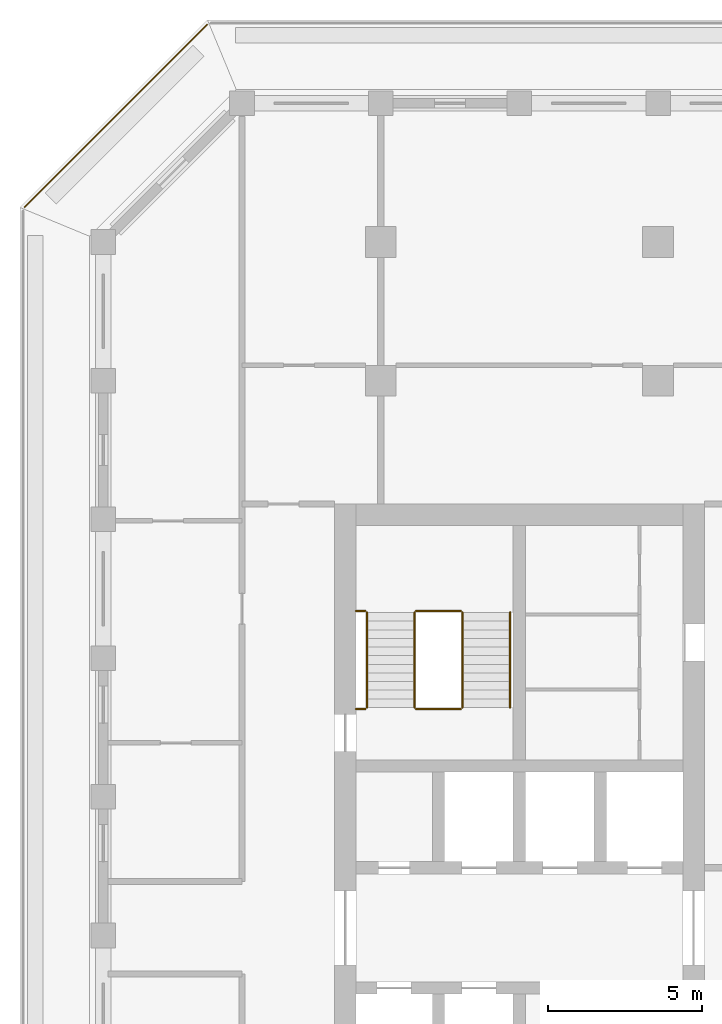
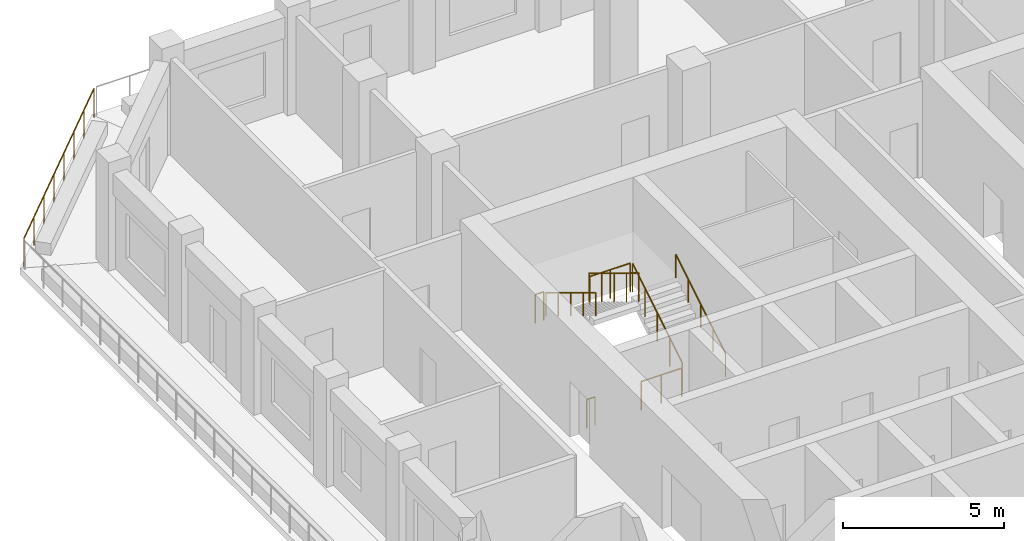
# One storey, part 14 of 17: 9 railings.
"""IFC4 building model written with IfcOpenShell, lengths in metres."""

from ifc_helpers import new_model, si_unit, direction, frame, origin, origin_2d, place, context, subcontext, project, spatial, circle, extrude, material, type_object, element, save


model = new_model("IFC4")

# Units and contexts
model_context = context("Model", 3, precision=1e-05, world=origin(), true_north=direction((0.0, 1.0)))
body_context = subcontext(model_context, "Body", "Model", "MODEL_VIEW")
ifc_project = project(units=[si_unit("LENGTHUNIT", "METRE"), si_unit("AREAUNIT", "SQUARE_METRE"), si_unit("VOLUMEUNIT", "CUBIC_METRE"), si_unit("PLANEANGLEUNIT", "RADIAN"), si_unit("MASSUNIT", "GRAM", prefix="KILO")], contexts=[model_context])

# Site, building, storey
site_placement = place(None, origin())
site = spatial("IfcSite", under=ifc_project, at=site_placement, CompositionType="ELEMENT")
building_placement = place(site_placement, origin())
building = spatial("IfcBuilding", under=site, at=building_placement, Name="Corbel Stack Research Tower", CompositionType="ELEMENT")
storey_placement = place(building_placement, frame((0.0, 0.0, 243.89990234375)))
storey = spatial("IfcBuildingStorey", under=building, at=storey_placement, Name="L55", CompositionType="ELEMENT", Elevation=243.89990234375)

# Railings
ifc_material_1 = material(Name="Steel S355", Category="steel")
railing_type_1 = type_object("IfcRailingType", Name="Stair guard 1100", PredefinedType="GUARDRAIL", material=ifc_material_1)
railing_1_placement = place(storey_placement, frame((-6.35009765625, 11.89990234375, 0.1708984375)))
element("IfcRailing", 1, at=railing_1_placement, inside=storey, type_object=railing_type_1, Name="L55 ST-W2 stair guard 1", PredefinedType="GUARDRAIL", context=body_context, shape_type="SweptSolid", body=[
    extrude(circle(Radius=0.02392578125, at=origin_2d()), frame((0.0, 0.0, 1.076171875), z_axis=(0.0, 0.853666305674, 0.52082035152), x_axis=(-1.0, 0.0, 0.0)), (0.0, 0.0, 1.0), 3.608154296875),
    extrude(circle(Radius=0.02099609375, at=origin_2d()), origin(), (0.0, 0.0, 1.0), 1.052001953125),
    extrude(circle(Radius=0.02099609375, at=origin_2d()), frame((0.0, 0.77001953125, 0.4697265625)), (0.0, 0.0, 1.0), 1.052001953125),
    extrude(circle(Radius=0.02099609375, at=origin_2d()), frame((0.0, 1.5400390625, 0.939453125)), (0.0, 0.0, 1.0), 1.052001953125),
    extrude(circle(Radius=0.02099609375, at=origin_2d()), frame((0.0, 2.31005859375, 1.409423828125)), (0.0, 0.0, 1.0), 1.052001953125),
    extrude(circle(Radius=0.02099609375, at=origin_2d()), frame((0.0, 3.080078125, 1.879150390625)), (0.0, 0.0, 1.0), 1.052001953125),
])
railing_2_placement = place(storey_placement, frame((-6.39990234375, 15.030029296875, 2.050048828125)))
element("IfcRailing", 2, at=railing_2_placement, inside=storey, type_object=railing_type_1, Name="L55 ST-W2 stair guard 2", PredefinedType="GUARDRAIL", context=body_context, shape_type="SweptSolid", body=[
    extrude(circle(Radius=0.02392578125, at=origin_2d()), frame((0.0, 0.0, 1.076171875), z_axis=(-1.0, 0.0, 0.0), x_axis=(0.0, -1.0, 0.0)), (0.0, 0.0, 1.0), 1.4501953125),
    extrude(circle(Radius=0.02099609375, at=origin_2d()), origin(), (0.0, 0.0, 1.0), 1.052001953125),
    extrude(circle(Radius=0.02099609375, at=origin_2d()), frame((-0.72509765625, 0.0, 0.0)), (0.0, 0.0, 1.0), 1.052001953125),
    extrude(circle(Radius=0.02099609375, at=origin_2d()), frame((-1.4501953125, 0.0, 0.0)), (0.0, 0.0, 1.0), 1.052001953125),
])
railing_3_placement = place(storey_placement, frame((-9.5, 15.030029296875, 2.050048828125)))
element("IfcRailing", 3, at=railing_3_placement, inside=storey, type_object=railing_type_1, Name="L55 ST-W2 stair guard 3", PredefinedType="GUARDRAIL", context=body_context, shape_type="SweptSolid", body=[
    extrude(circle(Radius=0.02392578125, at=origin_2d()), frame((0.0, 0.0, 1.076171875), z_axis=(-1.0, 0.0, 0.0), x_axis=(0.0, -1.0, 0.0)), (0.0, 0.0, 1.0), 0.300048828125),
    extrude(circle(Radius=0.02099609375, at=origin_2d()), origin(), (0.0, 0.0, 1.0), 1.052001953125),
    extrude(circle(Radius=0.02099609375, at=origin_2d()), frame((-0.300048828125, 0.0, 0.0)), (0.0, 0.0, 1.0), 1.052001953125),
])
railing_4_placement = place(storey_placement, frame((-7.89990234375, 14.97998046875, 2.220947265625)))
element("IfcRailing", 4, at=railing_4_placement, inside=storey, type_object=railing_type_1, Name="L55 ST-W2 stair guard 4", PredefinedType="GUARDRAIL", context=body_context, shape_type="SweptSolid", body=[
    extrude(circle(Radius=0.02392578125, at=origin_2d()), frame((0.0, 0.0, 1.076171875), z_axis=(0.0, -0.853666305674, 0.52082035152), x_axis=(1.0, 0.0, 0.0)), (0.0, 0.0, 1.0), 3.608154296875),
    extrude(circle(Radius=0.02099609375, at=origin_2d()), origin(), (0.0, 0.0, 1.0), 1.052001953125),
    extrude(circle(Radius=0.02099609375, at=origin_2d()), frame((0.0, -0.77001953125, 0.4697265625)), (0.0, 0.0, 1.0), 1.052001953125),
    extrude(circle(Radius=0.02099609375, at=origin_2d()), frame((0.0, -1.5400390625, 0.939453125)), (0.0, 0.0, 1.0), 1.052001953125),
    extrude(circle(Radius=0.02099609375, at=origin_2d()), frame((0.0, -2.31005859375, 1.409423828125)), (0.0, 0.0, 1.0), 1.052001953125),
    extrude(circle(Radius=0.02099609375, at=origin_2d()), frame((0.0, -3.080078125, 1.879150390625)), (0.0, 0.0, 1.0), 1.052001953125),
])
railing_5_placement = place(storey_placement, frame((-6.39990234375, 11.85009765625, 0.0)))
element("IfcRailing", 5, at=railing_5_placement, inside=storey, type_object=railing_type_1, Name="L55 ST-W2 stair guard 5", PredefinedType="GUARDRAIL", context=body_context, shape_type="SweptSolid", body=[
    extrude(circle(Radius=0.02392578125, at=origin_2d()), frame((0.0, 0.0, 1.076171875), z_axis=(-1.0, 0.0, 0.0), x_axis=(0.0, -1.0, 0.0)), (0.0, 0.0, 1.0), 1.4501953125),
    extrude(circle(Radius=0.02099609375, at=origin_2d()), origin(), (0.0, 0.0, 1.0), 1.052001953125),
    extrude(circle(Radius=0.02099609375, at=origin_2d()), frame((-0.72509765625, 0.0, 0.0)), (0.0, 0.0, 1.0), 1.052001953125),
    extrude(circle(Radius=0.02099609375, at=origin_2d()), frame((-1.4501953125, 0.0, 0.0)), (0.0, 0.0, 1.0), 1.052001953125),
])
railing_6_placement = place(storey_placement, frame((-9.5, 11.85009765625, 0.0)))
element("IfcRailing", 6, at=railing_6_placement, inside=storey, type_object=railing_type_1, Name="L55 ST-W2 stair guard 6", PredefinedType="GUARDRAIL", context=body_context, shape_type="SweptSolid", body=[
    extrude(circle(Radius=0.02392578125, at=origin_2d()), frame((0.0, 0.0, 1.076171875), z_axis=(-1.0, 0.0, 0.0), x_axis=(0.0, -1.0, 0.0)), (0.0, 0.0, 1.0), 0.300048828125),
    extrude(circle(Radius=0.02099609375, at=origin_2d()), origin(), (0.0, 0.0, 1.0), 1.052001953125),
    extrude(circle(Radius=0.02099609375, at=origin_2d()), frame((-0.300048828125, 0.0, 0.0)), (0.0, 0.0, 1.0), 1.052001953125),
])
ifc_material_2 = material(Name="Steel S355", Category="steel")
railing_type_2 = type_object("IfcRailingType", Name="Stair handrail 900", PredefinedType="HANDRAIL", material=ifc_material_2)
railing_7_placement = place(storey_placement, frame((-4.800048828125, 11.89990234375, 0.1708984375)))
element("IfcRailing", 7, at=railing_7_placement, inside=storey, type_object=railing_type_2, Name="L55 ST-W2 stair handrail 1", PredefinedType="HANDRAIL", context=body_context, shape_type="SweptSolid", body=[
    extrude(circle(Radius=0.02392578125, at=origin_2d()), frame((0.0, 0.0, 0.8759765625), z_axis=(0.0, 0.853666305674, 0.52082035152), x_axis=(-1.0, 0.0, 0.0)), (0.0, 0.0, 1.0), 3.608154296875),
    extrude(circle(Radius=0.02099609375, at=origin_2d()), origin(), (0.0, 0.0, 1.0), 0.851806640625),
    extrude(circle(Radius=0.02099609375, at=origin_2d()), frame((0.0, 0.77001953125, 0.4697265625)), (0.0, 0.0, 1.0), 0.851806640625),
    extrude(circle(Radius=0.02099609375, at=origin_2d()), frame((0.0, 1.5400390625, 0.939453125)), (0.0, 0.0, 1.0), 0.851806640625),
    extrude(circle(Radius=0.02099609375, at=origin_2d()), frame((0.0, 2.31005859375, 1.409423828125)), (0.0, 0.0, 1.0), 0.851806640625),
    extrude(circle(Radius=0.02099609375, at=origin_2d()), frame((0.0, 3.080078125, 1.879150390625)), (0.0, 0.0, 1.0), 0.851806640625),
])
railing_8_placement = place(storey_placement, frame((-9.449951171875, 14.97998046875, 2.220947265625)))
element("IfcRailing", 8, at=railing_8_placement, inside=storey, type_object=railing_type_2, Name="L55 ST-W2 stair handrail 2", PredefinedType="HANDRAIL", context=body_context, shape_type="SweptSolid", body=[
    extrude(circle(Radius=0.02392578125, at=origin_2d()), frame((0.0, 0.0, 0.8759765625), z_axis=(0.0, -0.853666305674, 0.52082035152), x_axis=(1.0, 0.0, 0.0)), (0.0, 0.0, 1.0), 3.608154296875),
    extrude(circle(Radius=0.02099609375, at=origin_2d()), origin(), (0.0, 0.0, 1.0), 0.851806640625),
    extrude(circle(Radius=0.02099609375, at=origin_2d()), frame((0.0, -0.77001953125, 0.4697265625)), (0.0, 0.0, 1.0), 0.851806640625),
    extrude(circle(Radius=0.02099609375, at=origin_2d()), frame((0.0, -1.5400390625, 0.939453125)), (0.0, 0.0, 1.0), 0.851806640625),
    extrude(circle(Radius=0.02099609375, at=origin_2d()), frame((0.0, -2.31005859375, 1.409423828125)), (0.0, 0.0, 1.0), 0.851806640625),
    extrude(circle(Radius=0.02099609375, at=origin_2d()), frame((0.0, -3.080078125, 1.879150390625)), (0.0, 0.0, 1.0), 0.851806640625),
])
ifc_material_3 = material(Name="Powder-coated steel guard", Category="steel")
railing_type_3 = type_object("IfcRailingType", Name="Steel and glass guard 1100", PredefinedType="GUARDRAIL", material=ifc_material_3)
railing_9_placement = place(storey_placement, frame((-14.627685546875, 34.04931640625, 0.0)))
element("IfcRailing", 9, at=railing_9_placement, inside=storey, type_object=railing_type_3, Name="Loggia guard L55 NW", PredefinedType="GUARDRAIL", context=body_context, shape_type="SweptSolid", body=[
    extrude(circle(Radius=0.02392578125, at=origin_2d()), frame((0.0, 0.0, 1.076171875), z_axis=(-0.707106781187, -0.707106781187, 0.0), x_axis=(0.707106781187, -0.707106781187, 0.0)), (0.0, 0.0, 1.0), 8.37451171875),
    extrude(circle(Radius=0.02099609375, at=origin_2d()), origin(), (0.0, 0.0, 1.0), 1.052001953125),
    extrude(circle(Radius=0.02099609375, at=origin_2d()), frame((-0.845947265625, -0.845947265625, 0.0)), (0.0, 0.0, 1.0), 1.052001953125),
    extrude(circle(Radius=0.02099609375, at=origin_2d()), frame((-1.69189453125, -1.69189453125, 0.0)), (0.0, 0.0, 1.0), 1.052001953125),
    extrude(circle(Radius=0.02099609375, at=origin_2d()), frame((-2.537841796875, -2.537841796875, 0.0)), (0.0, 0.0, 1.0), 1.052001953125),
    extrude(circle(Radius=0.02099609375, at=origin_2d()), frame((-3.3837890625, -3.3837890625, 0.0)), (0.0, 0.0, 1.0), 1.052001953125),
    extrude(circle(Radius=0.02099609375, at=origin_2d()), frame((-4.229736328125, -4.229736328125, 0.0)), (0.0, 0.0, 1.0), 1.052001953125),
    extrude(circle(Radius=0.02099609375, at=origin_2d()), frame((-5.07568359375, -5.07568359375, 0.0)), (0.0, 0.0, 1.0), 1.052001953125),
    extrude(circle(Radius=0.02099609375, at=origin_2d()), frame((-5.921630859375, -5.921630859375, 0.0)), (0.0, 0.0, 1.0), 1.052001953125),
])

save(model, "model.ifc")
